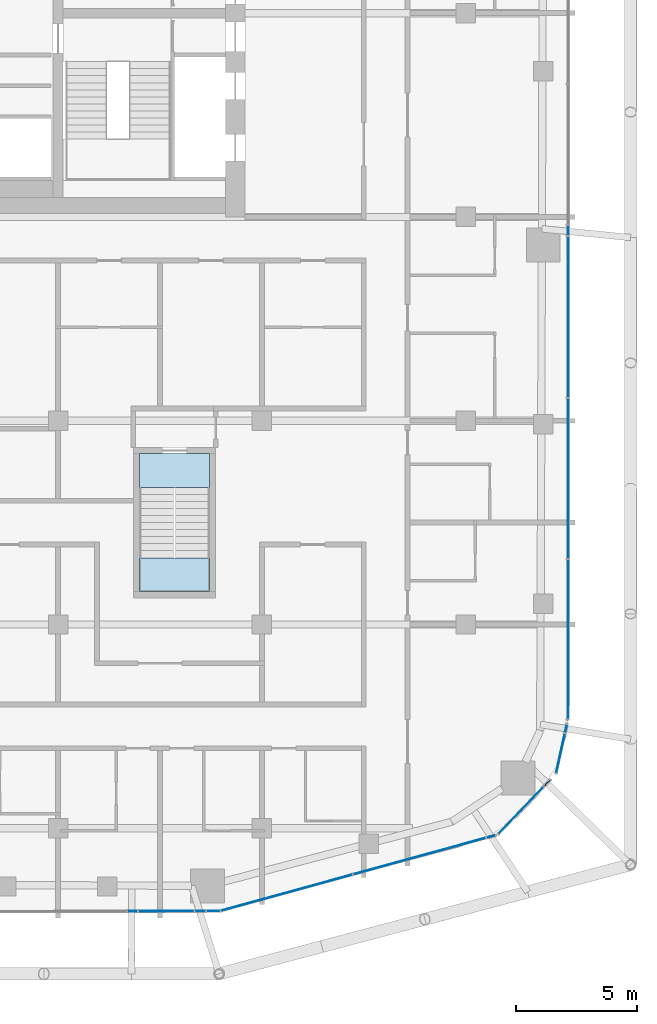
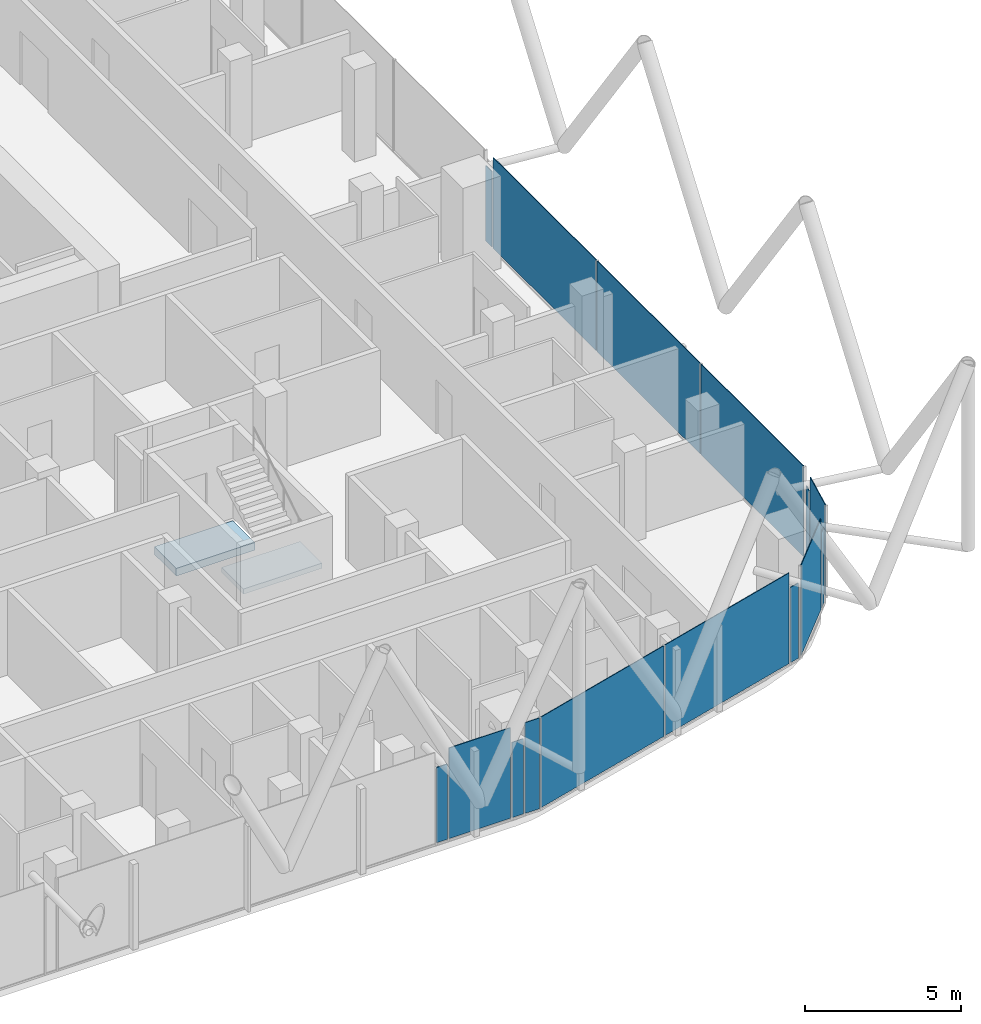
# One storey, part 18 of 31: 15 plates, 2 slabs, 13 elements without a shape of their own.
"""IFC4 building model written with IfcOpenShell, lengths in metres."""

from ifc_helpers import new_model, si_unit, direction, frame, origin, origin_2d, place, context, subcontext, project, spatial, polyline, rectangle, outline, extrude, material, layer, layer_set, type_object, element, aggregate, save


model = new_model("IFC4")

# Units and contexts
model_context = context("Model", 3, precision=1e-05, world=origin(), true_north=direction((0.0, 1.0)))
body_context = subcontext(model_context, "Body", "Model", "MODEL_VIEW")
ifc_project = project(units=[si_unit("LENGTHUNIT", "METRE"), si_unit("AREAUNIT", "SQUARE_METRE"), si_unit("VOLUMEUNIT", "CUBIC_METRE"), si_unit("PLANEANGLEUNIT", "RADIAN"), si_unit("MASSUNIT", "GRAM", prefix="KILO")], contexts=[model_context])

# Site, building, storey
site_placement = place(None, origin())
site = spatial("IfcSite", under=ifc_project, at=site_placement, CompositionType="ELEMENT")
building_placement = place(site_placement, origin())
building = spatial("IfcBuilding", under=site, at=building_placement, Name="Marenta Gate Hotel Tower", CompositionType="ELEMENT")
storey_placement = place(building_placement, frame((0.0, 0.0, 220.10009765625)))
storey = spatial("IfcBuildingStorey", under=building, at=storey_placement, Name="L51", CompositionType="ELEMENT", Elevation=220.10009765625)

# Curtain wall, plate
ifc_material_1 = material(Name="Tinted insulated glass in bronze anodised frame", Category="glass")
ifc_layer_1 = layer(ifc_material_1, 0.1201171875)
ifc_layer_set_1 = layer_set([ifc_layer_1], Name="Tinted insulated glass in bronze anodised frame")
curtain_wall_type = type_object("IfcCurtainWallType", Name="Tower unitised curtain wall CW1", PredefinedType="NOTDEFINED", material=ifc_layer_set_1)
curtain_wall_1_placement = place(storey_placement, origin())
curtain_wall_1 = element("IfcCurtainWall", 1, at=curtain_wall_1_placement, inside=storey, type_object=curtain_wall_type, Name="CW1 run G22", PredefinedType="NOTDEFINED")
ifc_material_2 = material(Name="Tinted insulated glass", Category="glass")
ifc_layer_2 = layer(ifc_material_2, 0.028076171875)
ifc_layer_set_2 = layer_set([ifc_layer_2], Name="Tinted insulated glass")
plate_type = type_object("IfcPlateType", Name="Glass panel CW1 28 mm tinted insulated unit", PredefinedType="CURTAIN_PANEL", material=ifc_layer_set_2)
plate_1_placement = place(storey_placement, frame((7.265869140625, -28.618408203125, 0.06005859375), z_axis=(0.0, 0.0, 1.0), x_axis=(0.999998441306, 0.001765611905, 0.0)))
plate_1 = element("IfcPlate", 2, at=plate_1_placement, type_object=plate_type, Name="CW1 panel 1.1", PredefinedType="CURTAIN_PANEL", context=body_context, shape_type="SweptSolid", body=[
    extrude(rectangle(XDim=0.39306640625, YDim=0.028076171875, at=origin_2d()), origin(), (0.0, 0.0, 1.0), 2.9404296875),
])
aggregate(curtain_wall_1, [plate_1])

curtain_wall_2_placement = place(storey_placement, origin())
curtain_wall_2 = element("IfcCurtainWall", 3, at=curtain_wall_2_placement, inside=storey, type_object=curtain_wall_type, Name="CW1 run G23", PredefinedType="NOTDEFINED")
plate_2_placement = place(storey_placement, frame((8.65869140625, -28.6162109375, 0.059814453125), z_axis=(0.0, 0.0, 1.0), x_axis=(0.999998672819, 0.001629220957, 0.0)))
plate_2 = element("IfcPlate", 4, at=plate_2_placement, type_object=plate_type, Name="CW1 panel 1.1", PredefinedType="CURTAIN_PANEL", context=body_context, shape_type="SweptSolid", body=[
    extrude(rectangle(XDim=2.2724609375, YDim=0.028076171875, at=origin_2d()), origin(), (0.0, 0.0, 1.0), 3.5400390625),
])
aggregate(curtain_wall_2, [plate_2])

curtain_wall_3_placement = place(storey_placement, origin())
curtain_wall_3 = element("IfcCurtainWall", 5, at=curtain_wall_3_placement, inside=storey, type_object=curtain_wall_type, Name="CW1 run G24", PredefinedType="NOTDEFINED")
plate_3_placement = place(storey_placement, frame((10.06201171875, -28.614013671875, 0.06005859375), z_axis=(0.0, 0.0, 1.0), x_axis=(0.999998577531, 0.001686693784, 0.0)))
plate_3 = element("IfcPlate", 6, at=plate_3_placement, type_object=plate_type, Name="CW1 panel 1.1", PredefinedType="CURTAIN_PANEL", context=body_context, shape_type="SweptSolid", body=[
    extrude(rectangle(XDim=0.414306640625, YDim=0.028076171875, at=origin_2d()), origin(), (0.0, 0.0, 1.0), 2.9404296875),
])
aggregate(curtain_wall_3, [plate_3])

curtain_wall_4_placement = place(storey_placement, origin())
curtain_wall_4 = element("IfcCurtainWall", 7, at=curtain_wall_4_placement, inside=storey, type_object=curtain_wall_type, Name="CW1 run G25", PredefinedType="NOTDEFINED")
plate_4_placement = place(storey_placement, frame((10.601318359375, -28.613037109375, 0.059814453125), z_axis=(0.0, 0.0, 1.0), x_axis=(0.999998631715, 0.001654257461, 0.0)))
plate_4 = element("IfcPlate", 8, at=plate_4_placement, type_object=plate_type, Name="CW1 panel 1.1", PredefinedType="CURTAIN_PANEL", context=body_context, shape_type="SweptSolid", body=[
    extrude(rectangle(XDim=0.54443359375, YDim=0.028076171875, at=origin_2d()), origin(), (0.0, 0.0, 1.0), 3.5400390625),
])
aggregate(curtain_wall_4, [plate_4])

# Curtain wall, plates
curtain_wall_5_placement = place(storey_placement, origin())
curtain_wall_5 = element("IfcCurtainWall", 9, at=curtain_wall_5_placement, inside=storey, type_object=curtain_wall_type, Name="CW1 run G26", PredefinedType="NOTDEFINED")
plate_5_placement = place(storey_placement, frame((13.624755859375, -27.85546875, 0.059814453125), z_axis=(0.0, 0.0, 1.0), x_axis=(0.964167605329, 0.265293853742, 0.0)))
plate_5 = element("IfcPlate", 10, at=plate_5_placement, type_object=plate_type, Name="CW1 panel 1.1", PredefinedType="CURTAIN_PANEL", context=body_context, shape_type="SweptSolid", body=[
    extrude(rectangle(XDim=5.58642578125, YDim=0.028076171875, at=origin_2d()), origin(), (0.0, 0.0, 1.0), 3.5400390625),
])
plate_6_placement = place(storey_placement, frame((19.09765625, -26.349609375, 0.059814453125), z_axis=(0.0, 0.0, 1.0), x_axis=(0.964167605329, 0.265293853742, 0.0)))
plate_6 = element("IfcPlate", 11, at=plate_6_placement, type_object=plate_type, Name="CW1 panel 2.1", PredefinedType="CURTAIN_PANEL", context=body_context, shape_type="SweptSolid", body=[
    extrude(rectangle(XDim=5.646240234375, YDim=0.028076171875, at=origin_2d()), origin(), (0.0, 0.0, 1.0), 3.5400390625),
])
aggregate(curtain_wall_5, [plate_5, plate_6])

# Curtain wall, plate
curtain_wall_6_placement = place(storey_placement, origin())
curtain_wall_6 = element("IfcCurtainWall", 12, at=curtain_wall_6_placement, inside=storey, type_object=curtain_wall_type, Name="CW1 run G27", PredefinedType="NOTDEFINED")
plate_7_placement = place(storey_placement, frame((22.04931640625, -25.53759765625, 0.06005859375), z_axis=(0.0, 0.0, 1.0), x_axis=(0.964170506749, 0.265283308776, 0.0)))
plate_7 = element("IfcPlate", 13, at=plate_7_placement, type_object=plate_type, Name="CW1 panel 1.1", PredefinedType="CURTAIN_PANEL", context=body_context, shape_type="SweptSolid", body=[
    extrude(rectangle(XDim=0.3564453125, YDim=0.028076171875, at=origin_2d()), origin(), (0.0, 0.0, 1.0), 2.9404296875),
])
aggregate(curtain_wall_6, [plate_7])

curtain_wall_7_placement = place(storey_placement, origin())
curtain_wall_7 = element("IfcCurtainWall", 14, at=curtain_wall_7_placement, inside=storey, type_object=curtain_wall_type, Name="CW1 run G28", PredefinedType="NOTDEFINED")
plate_8_placement = place(storey_placement, frame((23.284912109375, -24.461669921875, 0.059814453125), z_axis=(0.0, 0.0, 1.0), x_axis=(0.692544874237, 0.721374796599, 0.0)))
plate_8 = element("IfcPlate", 15, at=plate_8_placement, type_object=plate_type, Name="CW1 panel 1.1", PredefinedType="CURTAIN_PANEL", context=body_context, shape_type="SweptSolid", body=[
    extrude(rectangle(XDim=2.652587890625, YDim=0.028076171875, at=origin_2d()), origin(), (0.0, 0.0, 1.0), 3.5400390625),
])
aggregate(curtain_wall_7, [plate_8])

curtain_wall_8_placement = place(storey_placement, origin())
curtain_wall_8 = element("IfcCurtainWall", 16, at=curtain_wall_8_placement, inside=storey, type_object=curtain_wall_type, Name="CW1 run G29", PredefinedType="NOTDEFINED")
plate_9_placement = place(storey_placement, frame((24.360107421875, -23.341552734375, 0.06005859375), z_axis=(0.0, 0.0, 1.0), x_axis=(0.692499661278, 0.721418199888, 0.0)))
plate_9 = element("IfcPlate", 17, at=plate_9_placement, type_object=plate_type, Name="CW1 panel 1.1", PredefinedType="CURTAIN_PANEL", context=body_context, shape_type="SweptSolid", body=[
    extrude(rectangle(XDim=0.3330078125, YDim=0.028076171875, at=origin_2d()), origin(), (0.0, 0.0, 1.0), 2.9404296875),
])
aggregate(curtain_wall_8, [plate_9])

curtain_wall_9_placement = place(storey_placement, origin())
curtain_wall_9 = element("IfcCurtainWall", 18, at=curtain_wall_9_placement, inside=storey, type_object=curtain_wall_type, Name="CW1 run G30", PredefinedType="NOTDEFINED")
plate_10_placement = place(storey_placement, frame((24.910400390625, -22.110595703125, 0.059814453125), z_axis=(0.0, 0.0, 1.0), x_axis=(0.21681792113, 0.97621206153, 0.0)))
plate_10 = element("IfcPlate", 19, at=plate_10_placement, type_object=plate_type, Name="CW1 panel 1.1", PredefinedType="CURTAIN_PANEL", context=body_context, shape_type="SweptSolid", body=[
    extrude(rectangle(XDim=1.633544921875, YDim=0.028076171875, at=origin_2d()), origin(), (0.0, 0.0, 1.0), 3.5400390625),
])
aggregate(curtain_wall_9, [plate_10])

curtain_wall_10_placement = place(storey_placement, origin())
curtain_wall_10 = element("IfcCurtainWall", 20, at=curtain_wall_10_placement, inside=storey, type_object=curtain_wall_type, Name="CW1 run G31", PredefinedType="NOTDEFINED")
plate_11_placement = place(storey_placement, frame((25.13671875, -21.091796875, 0.06005859375), z_axis=(0.0, 0.0, 1.0), x_axis=(0.216883782439, 0.976197431319, 0.0)))
plate_11 = element("IfcPlate", 21, at=plate_11_placement, type_object=plate_type, Name="CW1 panel 1.1", PredefinedType="CURTAIN_PANEL", context=body_context, shape_type="SweptSolid", body=[
    extrude(rectangle(XDim=0.333740234375, YDim=0.028076171875, at=origin_2d()), origin(), (0.0, 0.0, 1.0), 2.9404296875),
])
aggregate(curtain_wall_10, [plate_11])

# Curtain wall, plates
curtain_wall_11_placement = place(storey_placement, origin())
curtain_wall_11 = element("IfcCurtainWall", 22, at=curtain_wall_11_placement, inside=storey, type_object=curtain_wall_type, Name="CW1 run G32", PredefinedType="NOTDEFINED")
plate_12_placement = place(storey_placement, frame((25.214111328125, -17.40869140625, 0.059814453125), z_axis=(0.0, 0.0, 1.0), x_axis=(0.0, 1.0, 0.0)))
plate_12 = element("IfcPlate", 23, at=plate_12_placement, type_object=plate_type, Name="CW1 panel 1.1", PredefinedType="CURTAIN_PANEL", context=body_context, shape_type="SweptSolid", body=[
    extrude(rectangle(XDim=6.55029296875, YDim=0.028076171875, at=origin_2d()), origin(), (0.0, 0.0, 1.0), 3.5400390625),
])
plate_13_placement = place(storey_placement, frame((25.214111328125, -10.783447265625, 0.059814453125), z_axis=(0.0, 0.0, 1.0), x_axis=(0.0, 1.0, 0.0)))
plate_13 = element("IfcPlate", 24, at=plate_13_placement, type_object=plate_type, Name="CW1 panel 2.1", PredefinedType="CURTAIN_PANEL", context=body_context, shape_type="SweptSolid", body=[
    extrude(rectangle(XDim=6.580322265625, YDim=0.028076171875, at=origin_2d()), origin(), (0.0, 0.0, 1.0), 3.5400390625),
])
plate_14_placement = place(storey_placement, frame((25.214111328125, -4.128173828125, 0.059814453125), z_axis=(0.0, 0.0, 1.0), x_axis=(0.0, 1.0, 0.0)))
plate_14 = element("IfcPlate", 25, at=plate_14_placement, type_object=plate_type, Name="CW1 panel 3.1", PredefinedType="CURTAIN_PANEL", context=body_context, shape_type="SweptSolid", body=[
    extrude(rectangle(XDim=6.6103515625, YDim=0.028076171875, at=origin_2d()), origin(), (0.0, 0.0, 1.0), 3.5400390625),
])
aggregate(curtain_wall_11, [plate_12, plate_13, plate_14])

# Curtain wall, plate
curtain_wall_12_placement = place(storey_placement, origin())
curtain_wall_12 = element("IfcCurtainWall", 26, at=curtain_wall_12_placement, inside=storey, type_object=curtain_wall_type, Name="CW1 run G33", PredefinedType="NOTDEFINED")
plate_15_placement = place(storey_placement, frame((25.214111328125, -0.5654296875, 0.06005859375), z_axis=(0.0, 0.0, 1.0), x_axis=(0.0, 1.0, 0.0)))
plate_15 = element("IfcPlate", 27, at=plate_15_placement, type_object=plate_type, Name="CW1 panel 1.1", PredefinedType="CURTAIN_PANEL", context=body_context, shape_type="SweptSolid", body=[
    extrude(rectangle(XDim=0.395263671875, YDim=0.028076171875, at=origin_2d()), origin(), (0.0, 0.0, 1.0), 2.9404296875),
])
aggregate(curtain_wall_12, [plate_15])

# Stair, slab
ifc_material_3 = material(Name="Concrete C40", Category="concrete")
stair_type = type_object("IfcStairType", Name="Remote exit stair 1400 wide", PredefinedType="HALF_TURN_STAIR", material=ifc_material_3)
stair_placement = place(storey_placement, origin())
stair = element("IfcStair", 28, at=stair_placement, inside=storey, type_object=stair_type, Name="Exit stair RS-Z3-2", PredefinedType="HALF_TURN_STAIR")
ifc_material_4 = material(Name="Concrete C40", Category="concrete")
ifc_layer_3 = layer(ifc_material_4, 0.199951171875)
ifc_layer_set_3 = layer_set([ifc_layer_3], Name="Concrete C40")
slab_type_1 = type_object("IfcSlabType", Name="Remote stair landing 200", PredefinedType="LANDING", material=ifc_layer_set_3)
slab_1_placement = place(storey_placement, frame((0.0, 0.0, 1.599853515625)))
slab_1 = element("IfcSlab", 29, at=slab_1_placement, type_object=slab_type_1, Name="RL-200 RS-Z3-2 landing 1", PredefinedType="LANDING", context=body_context, shape_type="SweptSolid", body=[
    extrude(outline(polyline([(7.550048828125, -15.449951171875), (10.449951171875, -15.449951171875), (10.449951171875, -14.050048828125), (7.550048828125, -14.050048828125), (7.550048828125, -15.449951171875)])), origin(), (0.0, 0.0, 1.0), 0.199951171875),
])
aggregate(stair, [slab_1])

# Slab
ifc_material_5 = material(Name="Concrete C40", Category="concrete")
ifc_layer_4 = layer(ifc_material_5, 0.300048828125)
ifc_layer_set_4 = layer_set([ifc_layer_4], Name="Concrete C40")
slab_type_2 = type_object("IfcSlabType", Name="Stair floor landing slab 300", PredefinedType="FLOOR", material=ifc_layer_set_4)
slab_2_placement = place(storey_placement, frame((0.0, 0.0, -0.300048828125)))
element("IfcSlab", 30, at=slab_2_placement, inside=storey, type_object=slab_type_2, Name="L51-RS-Z3-2-CL", PredefinedType="FLOOR", context=body_context, shape_type="SweptSolid", body=[
    extrude(outline(polyline([(10.449951171875, -11.14990234375), (10.449951171875, -9.75), (7.550048828125, -9.75), (7.550048828125, -11.14990234375), (10.449951171875, -11.14990234375)])), origin(), (0.0, 0.0, 1.0), 0.300048828125),
])

save(model, "model.ifc")
